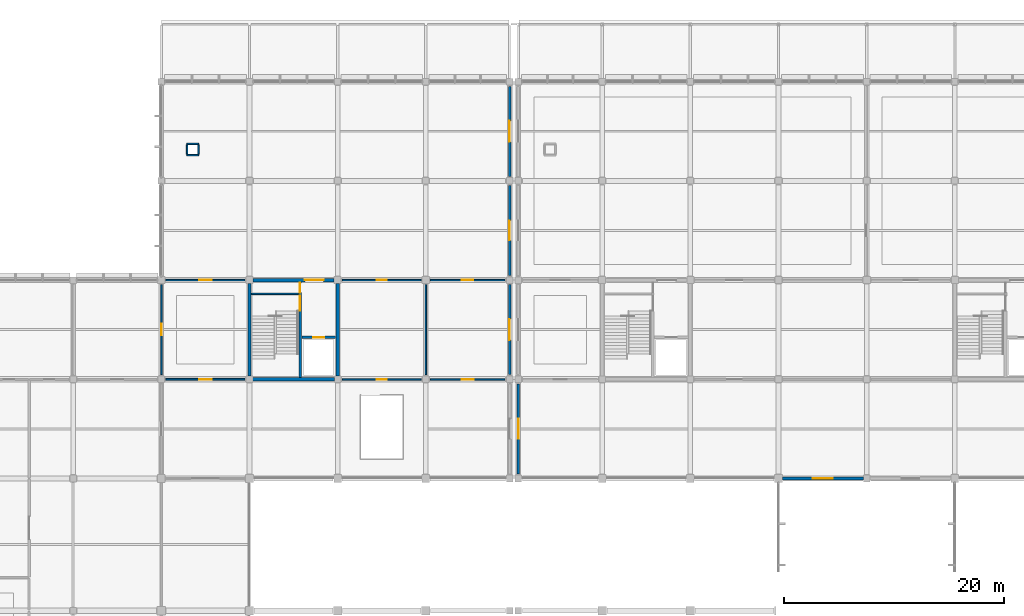
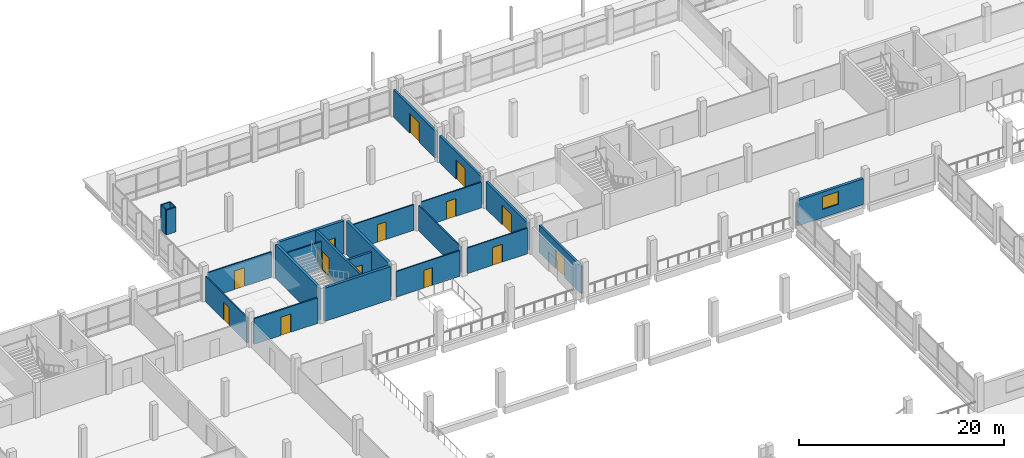
# One storey, part 44 of 57: 24 walls, 15 doors, 1 window, 16 openings.
"""IFC4 building model written with IfcOpenShell, lengths in metres."""

from ifc_helpers import new_model, si_unit, direction, frame, frame_2d, origin, place, context, subcontext, project, spatial, rectangle, extrude, material, layer, layer_set, type_object, element, fill, save


model = new_model("IFC4")

# Units and contexts
model_context = context("Model", 3, precision=1e-05, world=origin(), true_north=direction((0.0, 1.0)))
body_context = subcontext(model_context, "Body", "Model", "MODEL_VIEW")
ifc_project = project(units=[si_unit("LENGTHUNIT", "METRE"), si_unit("AREAUNIT", "SQUARE_METRE"), si_unit("VOLUMEUNIT", "CUBIC_METRE"), si_unit("PLANEANGLEUNIT", "RADIAN"), si_unit("MASSUNIT", "GRAM", prefix="KILO"), si_unit("THERMODYNAMICTEMPERATUREUNIT", "KELVIN"), si_unit("POWERUNIT", "WATT")], contexts=[model_context])

# Site, building, storey
site_placement = place(None, origin())
site = spatial("IfcSite", under=ifc_project, at=site_placement, CompositionType="ELEMENT")
building_placement = place(site_placement, origin())
building = spatial("IfcBuilding", under=site, at=building_placement, Name="Kronsvod Quay Wholesale Market", CompositionType="ELEMENT")
storey_placement = place(building_placement, frame((0.0, 0.0, 4.800048828125)))
storey = spatial("IfcBuildingStorey", under=building, at=storey_placement, Name="L01", CompositionType="ELEMENT", Elevation=4.800048828125)

# Wall
ifc_material_1 = material(Name="Concrete C35/45", Category="concrete")
ifc_layer_1 = layer(ifc_material_1, 0.300048828125)
ifc_layer_set_1 = layer_set([ifc_layer_1], Name="Concrete C35/45")
wall_type_1 = type_object("IfcWallType", Name="Wall_CoreShear300", PredefinedType="SHEAR", material=ifc_layer_set_1)
wall_1_placement = place(storey_placement, frame((40.294921875, 99.0, 0.0), z_axis=(0.0, 0.0, 1.0), x_axis=(1.0, 0.0, 0.0)))
element("IfcWall", 1, at=wall_1_placement, inside=storey, type_object=wall_type_1, Name="CW-C07-L01-S", PredefinedType="SHEAR", context=body_context, shape_type="SweptSolid", body=[
    extrude(rectangle(XDim=7.41015625, YDim=0.300048828125, at=frame_2d((3.705078125, 0.0))), origin(), (0.0, 0.0, 1.0), 3.954833984375),
])

# Wall, opening, door
wall_2_placement = place(storey_placement, frame((40.320068359375, 108.0, 0.0), z_axis=(0.0, 0.0, 1.0), x_axis=(1.0, 0.0, 0.0)))
wall_2 = element("IfcWall", 2, at=wall_2_placement, inside=storey, type_object=wall_type_1, Name="CW-C07-L01-N", PredefinedType="SHEAR", context=body_context, shape_type="SweptSolid", body=[
    extrude(rectangle(XDim=7.35986328125, YDim=0.300048828125, at=frame_2d((3.679931640625, 0.0))), origin(), (0.0, 0.0, 1.0), 3.954833984375),
])
opening_1_placement = place(wall_2_placement, frame((4.699951171875, 0.0, 0.0)))
opening_1 = element("IfcOpeningElement", 3, at=opening_1_placement, cuts=wall_2, Name="Opening D-0068", PredefinedType="OPENING", context=body_context, shape_type="SweptSolid", body=[
    extrude(rectangle(XDim=1.699951171875, YDim=2.25, at=frame_2d((0.85009765625, 1.125))), frame((0.0, 0.16015625, 0.0), z_axis=(0.0, -1.0, 0.0), x_axis=(1.0, 0.0, 0.0)), (0.0, 0.0, 1.0), 0.320068359375),
])
ifc_material_2 = material(Name="Painted galvanized fire steel", Category="steel")
door_type_1 = type_object("IfcDoorType", Name="Door_FireLobby170x225", OperationType="DOUBLE_DOOR_SINGLE_SWING", PredefinedType="DOOR", material=ifc_material_2)
door_1_placement = place(opening_1_placement, origin())
door_1 = element("IfcDoor", 4, at=door_1_placement, inside=storey, type_object=door_type_1, Name="Core Lobby Door D-0068", OperationType="DOUBLE_DOOR_SINGLE_SWING", OverallHeight=2.25, OverallWidth=1.699951171875, PredefinedType="DOOR", context=body_context, shape_type="SweptSolid", body=[
    extrude(rectangle(XDim=1.699951171875, YDim=2.25, at=frame_2d((0.85009765625, 1.125))), frame((0.0, 0.02490234375, 0.0), z_axis=(0.0, -1.0, 0.0), x_axis=(1.0, 0.0, 0.0)), (0.0, 0.0, 1.0), 0.050048828125),
])
fill(opening_1, door_1)

# Walls
for number, where, z_axis, x_axis, name in (
    (5, (40.0, 99.294921875, 0.0), (0.0, 0.0, 1.0), (0.0, 1.0, 0.0), "CW-C07-L01-W"),
    (6, (48.0, 99.294921875, 0.0), (0.0, 0.0, 1.0), (0.0, 1.0, 0.0), "CW-C07-L01-E"),
):
    element("IfcWall", number, at=place(storey_placement, frame(where, z_axis=z_axis, x_axis=x_axis)), inside=storey, type_object=wall_type_1, Name=name, PredefinedType="SHEAR", context=body_context, shape_type="SweptSolid", body=[
        extrude(rectangle(XDim=8.385009765625, YDim=0.300048828125, at=frame_2d((4.1923828125, 0.0))), origin(), (0.0, 0.0, 1.0), 3.954833984375),
    ])

# Wall, opening, window
ifc_material_3 = material(Name="Precast concrete C40/50", Category="concrete")
ifc_layer_2 = layer(ifc_material_3, 0.300048828125)
ifc_layer_set_2 = layer_set([ifc_layer_2], Name="Precast concrete C40/50")
wall_type_2 = type_object("IfcWallType", Name="Wall_ExtPrecast300", PredefinedType="SOLIDWALL", material=ifc_layer_set_2)
wall_3_placement = place(storey_placement, frame((88.344970703125, 90.0, 0.0), z_axis=(0.0, 0.0, 1.0), x_axis=(1.0, 0.0, 0.0)))
wall_3 = element("IfcWall", 7, at=wall_3_placement, inside=storey, type_object=wall_type_2, Name="EW-X-L01-0125", PredefinedType="SOLIDWALL", context=body_context, shape_type="SweptSolid", body=[
    extrude(rectangle(XDim=7.360107421875, YDim=0.300048828125, at=frame_2d((3.68017578125, 0.0))), origin(), (0.0, 0.0, 1.0), 3.050048828125),
])
opening_2_placement = place(wall_3_placement, frame((2.780029296875, 0.0, 1.0)))
opening_2 = element("IfcOpeningElement", 8, at=opening_2_placement, cuts=wall_3, Name="Opening WIN-10", PredefinedType="OPENING", context=body_context, shape_type="SweptSolid", body=[
    extrude(rectangle(XDim=1.800048828125, YDim=1.5, at=frame_2d((0.89990234375, 0.75))), frame((0.0, 0.16015625, 0.0), z_axis=(0.0, -1.0, 0.0), x_axis=(1.0, 0.0, 0.0)), (0.0, 0.0, 1.0), 0.320068359375),
])
ifc_material_4 = material(Name="Thermally broken aluminium and triple low-E glazing", Category="aluminium")
window_type = type_object("IfcWindowType", Name="Win_W10", PartitioningType="DOUBLE_PANEL_VERTICAL", PredefinedType="WINDOW", material=ifc_material_4)
window_placement = place(opening_2_placement, origin())
window = element("IfcWindow", 9, at=window_placement, inside=storey, type_object=window_type, Name="WIN-L01-0010", OverallHeight=1.5, OverallWidth=1.800048828125, PartitioningType="SINGLE_PANEL", PredefinedType="WINDOW", context=body_context, shape_type="SweptSolid", body=[
    extrude(rectangle(XDim=1.800048828125, YDim=1.5, at=frame_2d((0.89990234375, 0.75))), frame((0.0, 0.030029296875, 0.0), z_axis=(0.0, -1.0, 0.0), x_axis=(1.0, 0.0, 0.0)), (0.0, 0.0, 1.0), 0.06005859375),
])
fill(opening_2, window)

# Wall, opening, door
ifc_material_5 = material(Name="Precast concrete C40/50", Category="concrete")
ifc_layer_3 = layer(ifc_material_5, 0.239990234375)
ifc_layer_set_3 = layer_set([ifc_layer_3], Name="Precast concrete C40/50")
wall_type_3 = type_object("IfcWallType", Name="Wall_ExtSpandrel240", PredefinedType="SOLIDWALL", material=ifc_layer_set_3)
wall_4_placement = place(storey_placement, frame((63.60009765625, 99.419921875, 0.0), z_axis=(0.0, 0.0, 1.0), x_axis=(0.0, 1.0, 0.0)))
wall_4 = element("IfcWall", 10, at=wall_4_placement, inside=storey, type_object=wall_type_3, Name="MJWG-L01-636-990", PredefinedType="SOLIDWALL", context=body_context, shape_type="SweptSolid", body=[
    extrude(rectangle(XDim=8.16015625, YDim=0.239990234375, at=frame_2d((4.080078125, 0.0))), origin(), (0.0, 0.0, 1.0), 3.239990234375),
])
opening_3_placement = place(wall_4_placement, frame((3.1298828125, 0.0, 0.0)))
opening_3 = element("IfcOpeningElement", 11, at=opening_3_placement, cuts=wall_4, Name="Opening D-0353", PredefinedType="OPENING", context=body_context, shape_type="SweptSolid", body=[
    extrude(rectangle(XDim=1.89990234375, YDim=2.35009765625, at=frame_2d((0.949951171875, 1.175048828125))), frame((0.0, 0.1298828125, 0.0), z_axis=(0.0, -1.0, 0.0), x_axis=(1.0, 0.0, 0.0)), (0.0, 0.0, 1.0), 0.260009765625),
])
ifc_material_6 = material(Name="Painted galvanized fire steel", Category="steel")
door_type_2 = type_object("IfcDoorType", Name="Door_FireComp190x235", OperationType="DOUBLE_DOOR_SINGLE_SWING", PredefinedType="DOOR", material=ifc_material_6)
door_2_placement = place(opening_3_placement, origin())
door_2 = element("IfcDoor", 12, at=door_2_placement, inside=storey, type_object=door_type_2, Name="Fire Compartment Door D-0353", OperationType="DOUBLE_DOOR_SINGLE_SWING", OverallHeight=2.35009765625, OverallWidth=1.89990234375, PredefinedType="DOOR", context=body_context, shape_type="SweptSolid", body=[
    extrude(rectangle(XDim=1.89990234375, YDim=2.35009765625, at=frame_2d((0.949951171875, 1.175048828125))), frame((0.0, 0.02490234375, 0.0), z_axis=(0.0, -1.0, 0.0), x_axis=(1.0, 0.0, 0.0)), (0.0, 0.0, 1.0), 0.050048828125),
])
fill(opening_3, door_2)

wall_5_placement = place(storey_placement, frame((63.60009765625, 108.419921875, 0.0), z_axis=(0.0, 0.0, 1.0), x_axis=(0.0, 1.0, 0.0)))
wall_5 = element("IfcWall", 13, at=wall_5_placement, inside=storey, type_object=wall_type_3, Name="MJWG-L01-636-1080", PredefinedType="SOLIDWALL", context=body_context, shape_type="SweptSolid", body=[
    extrude(rectangle(XDim=8.16015625, YDim=0.239990234375, at=frame_2d((4.080078125, 0.0))), origin(), (0.0, 0.0, 1.0), 3.239990234375),
])
opening_4_placement = place(wall_5_placement, frame((3.179931640625, 0.0, 0.0)))
opening_4 = element("IfcOpeningElement", 14, at=opening_4_placement, cuts=wall_5, Name="Opening D-0354", PredefinedType="OPENING", context=body_context, shape_type="SweptSolid", body=[
    extrude(rectangle(XDim=1.800048828125, YDim=2.300048828125, at=frame_2d((0.89990234375, 1.14990234375))), frame((0.0, 0.1298828125, 0.0), z_axis=(0.0, -1.0, 0.0), x_axis=(1.0, 0.0, 0.0)), (0.0, 0.0, 1.0), 0.260009765625),
])
ifc_material_7 = material(Name="Painted galvanized fire steel", Category="steel")
door_type_3 = type_object("IfcDoorType", Name="Door_FireComp180x230", OperationType="DOUBLE_DOOR_SINGLE_SWING", PredefinedType="DOOR", material=ifc_material_7)
door_3_placement = place(opening_4_placement, origin())
door_3 = element("IfcDoor", 15, at=door_3_placement, inside=storey, type_object=door_type_3, Name="Fire Compartment Door D-0354", OperationType="DOUBLE_DOOR_SINGLE_SWING", OverallHeight=2.300048828125, OverallWidth=1.800048828125, PredefinedType="DOOR", context=body_context, shape_type="SweptSolid", body=[
    extrude(rectangle(XDim=1.800048828125, YDim=2.300048828125, at=frame_2d((0.89990234375, 1.14990234375))), frame((0.0, 0.02490234375, 0.0), z_axis=(0.0, -1.0, 0.0), x_axis=(1.0, 0.0, 0.0)), (0.0, 0.0, 1.0), 0.050048828125),
])
fill(opening_4, door_3)

wall_6_placement = place(storey_placement, frame((63.60009765625, 117.419921875, 0.0), z_axis=(0.0, 0.0, 1.0), x_axis=(0.0, 1.0, 0.0)))
wall_6 = element("IfcWall", 16, at=wall_6_placement, inside=storey, type_object=wall_type_3, Name="MJWG-L01-636-1170", PredefinedType="SOLIDWALL", context=body_context, shape_type="SweptSolid", body=[
    extrude(rectangle(XDim=8.16015625, YDim=0.239990234375, at=frame_2d((4.080078125, 0.0))), origin(), (0.0, 0.0, 1.0), 3.239990234375),
])
opening_5_placement = place(wall_6_placement, frame((3.1298828125, 0.0, 0.0)))
opening_5 = element("IfcOpeningElement", 17, at=opening_5_placement, cuts=wall_6, Name="Opening D-0355", PredefinedType="OPENING", context=body_context, shape_type="SweptSolid", body=[
    extrude(rectangle(XDim=1.89990234375, YDim=2.35009765625, at=frame_2d((0.949951171875, 1.175048828125))), frame((0.0, 0.1298828125, 0.0), z_axis=(0.0, -1.0, 0.0), x_axis=(1.0, 0.0, 0.0)), (0.0, 0.0, 1.0), 0.260009765625),
])
door_4_placement = place(opening_5_placement, origin())
door_4 = element("IfcDoor", 18, at=door_4_placement, inside=storey, type_object=door_type_2, Name="Fire Compartment Door D-0355", OperationType="DOUBLE_DOOR_SINGLE_SWING", OverallHeight=2.35009765625, OverallWidth=1.89990234375, PredefinedType="DOOR", context=body_context, shape_type="SweptSolid", body=[
    extrude(rectangle(XDim=1.89990234375, YDim=2.35009765625, at=frame_2d((0.949951171875, 1.175048828125))), frame((0.0, 0.02490234375, 0.0), z_axis=(0.0, -1.0, 0.0), x_axis=(1.0, 0.0, 0.0)), (0.0, 0.0, 1.0), 0.050048828125),
])
fill(opening_5, door_4)

wall_7_placement = place(storey_placement, frame((64.39990234375, 90.419921875, 0.0), z_axis=(0.0, 0.0, 1.0), x_axis=(0.0, 1.0, 0.0)))
wall_7 = element("IfcWall", 19, at=wall_7_placement, inside=storey, type_object=wall_type_3, Name="MJWG-L01-644-900", PredefinedType="SOLIDWALL", context=body_context, shape_type="SweptSolid", body=[
    extrude(rectangle(XDim=8.16015625, YDim=0.239990234375, at=frame_2d((4.080078125, 0.0))), origin(), (0.0, 0.0, 1.0), 3.239990234375),
])
opening_6_placement = place(wall_7_placement, frame((3.179931640625, 0.0, 0.0)))
opening_6 = element("IfcOpeningElement", 20, at=opening_6_placement, cuts=wall_7, Name="Opening D-0358", PredefinedType="OPENING", context=body_context, shape_type="SweptSolid", body=[
    extrude(rectangle(XDim=1.800048828125, YDim=2.300048828125, at=frame_2d((0.89990234375, 1.14990234375))), frame((0.0, 0.1298828125, 0.0), z_axis=(0.0, -1.0, 0.0), x_axis=(1.0, 0.0, 0.0)), (0.0, 0.0, 1.0), 0.260009765625),
])
door_5_placement = place(opening_6_placement, origin())
door_5 = element("IfcDoor", 21, at=door_5_placement, inside=storey, type_object=door_type_3, Name="Fire Compartment Door D-0358", OperationType="DOUBLE_DOOR_SINGLE_SWING", OverallHeight=2.300048828125, OverallWidth=1.800048828125, PredefinedType="DOOR", context=body_context, shape_type="SweptSolid", body=[
    extrude(rectangle(XDim=1.800048828125, YDim=2.300048828125, at=frame_2d((0.89990234375, 1.14990234375))), frame((0.0, 0.02490234375, 0.0), z_axis=(0.0, -1.0, 0.0), x_axis=(1.0, 0.0, 0.0)), (0.0, 0.0, 1.0), 0.050048828125),
])
fill(opening_6, door_5)

ifc_material_8 = material(Name="Double-layer fire gypsum partition", Category="gypsum")
ifc_layer_4 = layer(ifc_material_8, 0.16796875)
ifc_layer_set_4 = layer_set([ifc_layer_4], Name="Double-layer fire gypsum partition")
wall_type_4 = type_object("IfcWallType", Name="Wall_PartCorridor168", PredefinedType="PARTITIONING", material=ifc_layer_set_4)
wall_8_placement = place(storey_placement, frame((32.419921875, 99.0, 0.0), z_axis=(0.0, 0.0, 1.0), x_axis=(1.0, 0.0, 0.0)))
wall_8 = element("IfcWall", 22, at=wall_8_placement, inside=storey, type_object=wall_type_4, Name="PW-L01-0067", PredefinedType="PARTITIONING", context=body_context, shape_type="SweptSolid", body=[
    extrude(rectangle(XDim=7.16015625, YDim=0.16796875, at=frame_2d((3.580078125, 0.0))), origin(), (0.0, 0.0, 1.0), 3.050048828125),
])
opening_7_placement = place(wall_8_placement, frame((3.02001953125, 0.0, 0.0)))
opening_7 = element("IfcOpeningElement", 23, at=opening_7_placement, cuts=wall_8, Name="Opening D-0252", PredefinedType="OPENING", context=body_context, shape_type="SweptSolid", body=[
    extrude(rectangle(XDim=1.1201171875, YDim=2.179931640625, at=frame_2d((0.56005859375, 1.08984375))), frame((0.0, 0.093994140625, 0.0), z_axis=(0.0, -1.0, 0.0), x_axis=(1.0, 0.0, 0.0)), (0.0, 0.0, 1.0), 0.18798828125),
])
ifc_material_9 = material(Name="Solid-core timber office door", Category="wood")
door_type_4 = type_object("IfcDoorType", Name="Door_Office112x218", OperationType="NOTDEFINED", PredefinedType="DOOR", material=ifc_material_9)
door_6_placement = place(opening_7_placement, origin())
door_6 = element("IfcDoor", 24, at=door_6_placement, inside=storey, type_object=door_type_4, Name="Interior Door D-0252", OperationType="SINGLE_SWING_RIGHT", OverallHeight=2.179931640625, OverallWidth=1.1201171875, PredefinedType="DOOR", context=body_context, shape_type="SweptSolid", body=[
    extrude(rectangle(XDim=1.1201171875, YDim=2.179931640625, at=frame_2d((0.56005859375, 1.08984375))), frame((0.0, 0.02490234375, 0.0), z_axis=(0.0, -1.0, 0.0), x_axis=(1.0, 0.0, 0.0)), (0.0, 0.0, 1.0), 0.050048828125),
])
fill(opening_7, door_6)

ifc_material_10 = material(Name="Lightweight demountable office partition")
ifc_layer_5 = layer(ifc_material_10, 0.1201171875)
ifc_layer_set_5 = layer_set([ifc_layer_5], Name="Lightweight demountable office partition")
wall_type_5 = type_object("IfcWallType", Name="Wall_PartOffice120", PredefinedType="PARTITIONING", material=ifc_layer_set_5)
wall_9_placement = place(storey_placement, frame((32.419921875, 108.0, 0.0), z_axis=(0.0, 0.0, 1.0), x_axis=(1.0, 0.0, 0.0)))
wall_9 = element("IfcWall", 25, at=wall_9_placement, inside=storey, type_object=wall_type_5, Name="PW-L01-0078", PredefinedType="PARTITIONING", context=body_context, shape_type="SweptSolid", body=[
    extrude(rectangle(XDim=7.16015625, YDim=0.1201171875, at=frame_2d((3.580078125, 0.0))), origin(), (0.0, 0.0, 1.0), 3.050048828125),
])
opening_8_placement = place(wall_9_placement, frame((3.0, 0.0, 0.0)))
opening_8 = element("IfcOpeningElement", 26, at=opening_8_placement, cuts=wall_9, Name="Opening D-0260", PredefinedType="OPENING", context=body_context, shape_type="SweptSolid", body=[
    extrude(rectangle(XDim=1.159912109375, YDim=2.2099609375, at=frame_2d((0.580078125, 1.10498046875))), frame((0.0, 0.070068359375, 0.0), z_axis=(0.0, -1.0, 0.0), x_axis=(1.0, 0.0, 0.0)), (0.0, 0.0, 1.0), 0.14013671875),
])
ifc_material_11 = material(Name="Solid-core timber office door", Category="wood")
door_type_5 = type_object("IfcDoorType", Name="Door_Office116x221", OperationType="NOTDEFINED", PredefinedType="DOOR", material=ifc_material_11)
door_7_placement = place(opening_8_placement, origin())
door_7 = element("IfcDoor", 27, at=door_7_placement, inside=storey, type_object=door_type_5, Name="Interior Door D-0260", OperationType="SINGLE_SWING_RIGHT", OverallHeight=2.2099609375, OverallWidth=1.159912109375, PredefinedType="DOOR", context=body_context, shape_type="SweptSolid", body=[
    extrude(rectangle(XDim=1.159912109375, YDim=2.2099609375, at=frame_2d((0.580078125, 1.10498046875))), frame((0.0, 0.02490234375, 0.0), z_axis=(0.0, -1.0, 0.0), x_axis=(1.0, 0.0, 0.0)), (0.0, 0.0, 1.0), 0.050048828125),
])
fill(opening_8, door_7)

# Walls
ifc_material_12 = material(Name="Fire-rated shaft riser block wall", Category="masonry")
ifc_layer_6 = layer(ifc_material_12, 0.1201171875)
ifc_layer_set_6 = layer_set([ifc_layer_6], Name="Fire-rated shaft riser block wall")
wall_type_6 = type_object("IfcWallType", Name="Wall_PartRiser120", PredefinedType="PARTITIONING", material=ifc_layer_set_6)
for number, where, z_axis, x_axis, name in (
    (28, (34.320068359375, 119.340087890625, 0.0), (0.0, 0.0, 1.0), (1.0, 0.0, 0.0), "RSRW-SLB-L01-067-S"),
    (29, (34.320068359375, 120.360107421875, 0.0), (0.0, 0.0, 1.0), (1.0, 0.0, 0.0), "RSRW-SLB-L01-067-N"),
):
    element("IfcWall", number, at=place(storey_placement, frame(where, z_axis=z_axis, x_axis=x_axis)), inside=storey, type_object=wall_type_6, Name=name, PredefinedType="PARTITIONING", context=body_context, shape_type="SweptSolid", body=[
        extrude(rectangle(XDim=1.059814453125, YDim=0.1201171875, at=frame_2d((0.52978515625, 0.0))), origin(), (0.0, 0.0, 1.0), 2.949951171875),
    ])
for number, where, z_axis, x_axis, name in (
    (30, (34.340087890625, 119.419921875, 0.0), (0.0, 0.0, 1.0), (0.0, 1.0, 0.0), "RSRW-SLB-L01-067-W"),
    (31, (35.360107421875, 119.419921875, 0.0), (0.0, 0.0, 1.0), (0.0, 1.0, 0.0), "RSRW-SLB-L01-067-E"),
):
    element("IfcWall", number, at=place(storey_placement, frame(where, z_axis=z_axis, x_axis=x_axis)), inside=storey, type_object=wall_type_6, Name=name, PredefinedType="PARTITIONING", context=body_context, shape_type="SweptSolid", body=[
        extrude(rectangle(XDim=0.860107421875, YDim=0.1201171875, at=frame_2d((0.43017578125, 0.0))), origin(), (0.0, 0.0, 1.0), 2.949951171875),
    ])
ifc_material_13 = material(Name="Fire-rated shaft riser block wall", Category="masonry")
ifc_layer_7 = layer(ifc_material_13, 0.1298828125)
ifc_layer_set_7 = layer_set([ifc_layer_7], Name="Fire-rated shaft riser block wall")
wall_type_7 = type_object("IfcWallType", Name="Wall_PartRiser130", PredefinedType="PARTITIONING", material=ifc_layer_set_7)
wall_10_placement = place(storey_placement, frame((40.179931640625, 106.75, 0.0), z_axis=(0.0, 0.0, 1.0), x_axis=(1.0, 0.0, 0.0)))
element("IfcWall", 32, at=wall_10_placement, inside=storey, type_object=wall_type_7, Name="CW-C07-L01-RSR", PredefinedType="PARTITIONING", context=body_context, shape_type="SweptSolid", body=[
    extrude(rectangle(XDim=4.280029296875, YDim=0.1298828125, at=frame_2d((2.14013671875, 0.0))), origin(), (0.0, 0.0, 1.0), 3.304931640625),
])

# Wall, opening, door
ifc_material_14 = material(Name="Moisture-resistant sanitary block partition", Category="masonry")
ifc_layer_8 = layer(ifc_material_14, 0.135009765625)
ifc_layer_set_8 = layer_set([ifc_layer_8], Name="Moisture-resistant sanitary block partition")
wall_type_8 = type_object("IfcWallType", Name="Wall_PartWet135", PredefinedType="PLUMBINGWALL", material=ifc_layer_set_8)
wall_11_placement = place(storey_placement, frame((32.0, 99.419921875, 0.0), z_axis=(0.0, 0.0, 1.0), x_axis=(0.0, 1.0, 0.0)))
wall_11 = element("IfcWall", 33, at=wall_11_placement, inside=storey, type_object=wall_type_8, Name="PW-L01-0032", PredefinedType="PLUMBINGWALL", context=body_context, shape_type="SweptSolid", body=[
    extrude(rectangle(XDim=8.16015625, YDim=0.135009765625, at=frame_2d((4.080078125, 0.0))), origin(), (0.0, 0.0, 1.0), 3.050048828125),
])
opening_9_placement = place(wall_11_placement, frame((3.554931640625, 0.0, 0.0)))
opening_9 = element("IfcOpeningElement", 34, at=opening_9_placement, cuts=wall_11, Name="Opening D-0229", PredefinedType="OPENING", context=body_context, shape_type="SweptSolid", body=[
    extrude(rectangle(XDim=1.050048828125, YDim=2.10009765625, at=frame_2d((0.52490234375, 1.050048828125))), frame((0.0, 0.07763671875, 0.0), z_axis=(0.0, -1.0, 0.0), x_axis=(1.0, 0.0, 0.0)), (0.0, 0.0, 1.0), 0.155029296875),
])
ifc_material_15 = material(Name="Accessible outward-swing laminate door", Category="wood")
door_type_6 = type_object("IfcDoorType", Name="Door_AccWC105x210", OperationType="NOTDEFINED", PredefinedType="DOOR", material=ifc_material_15)
door_8_placement = place(opening_9_placement, origin())
door_8 = element("IfcDoor", 35, at=door_8_placement, inside=storey, type_object=door_type_6, Name="Interior Door D-0229", OperationType="SINGLE_SWING_LEFT", OverallHeight=2.10009765625, OverallWidth=1.050048828125, PredefinedType="DOOR", context=body_context, shape_type="SweptSolid", body=[
    extrude(rectangle(XDim=1.050048828125, YDim=2.10009765625, at=frame_2d((0.52490234375, 1.050048828125))), frame((0.0, 0.02490234375, 0.0), z_axis=(0.0, -1.0, 0.0), x_axis=(1.0, 0.0, 0.0)), (0.0, 0.0, 1.0), 0.050048828125),
])
fill(opening_9, door_8)

wall_12_placement = place(storey_placement, frame((48.419921875, 99.0, 0.0), z_axis=(0.0, 0.0, 1.0), x_axis=(1.0, 0.0, 0.0)))
wall_12 = element("IfcWall", 36, at=wall_12_placement, inside=storey, type_object=wall_type_8, Name="PW-L01-0068", PredefinedType="PLUMBINGWALL", context=body_context, shape_type="SweptSolid", body=[
    extrude(rectangle(XDim=7.16015625, YDim=0.135009765625, at=frame_2d((3.580078125, 0.0))), origin(), (0.0, 0.0, 1.0), 3.050048828125),
])
opening_10_placement = place(wall_12_placement, frame((3.10498046875, 0.0, 0.0)))
opening_10 = element("IfcOpeningElement", 37, at=opening_10_placement, cuts=wall_12, Name="Opening D-0253", PredefinedType="OPENING", context=body_context, shape_type="SweptSolid", body=[
    extrude(rectangle(XDim=0.949951171875, YDim=2.10009765625, at=frame_2d((0.47509765625, 1.050048828125))), frame((0.0, 0.07763671875, 0.0), z_axis=(0.0, -1.0, 0.0), x_axis=(1.0, 0.0, 0.0)), (0.0, 0.0, 1.0), 0.155029296875),
])
ifc_material_16 = material(Name="Moisture-resistant laminate door", Category="wood")
door_type_7 = type_object("IfcDoorType", Name="Door_WC95x210", OperationType="NOTDEFINED", PredefinedType="DOOR", material=ifc_material_16)
door_9_placement = place(opening_10_placement, origin())
door_9 = element("IfcDoor", 38, at=door_9_placement, inside=storey, type_object=door_type_7, Name="Interior Door D-0253", OperationType="SINGLE_SWING_LEFT", OverallHeight=2.10009765625, OverallWidth=0.949951171875, PredefinedType="DOOR", context=body_context, shape_type="SweptSolid", body=[
    extrude(rectangle(XDim=0.949951171875, YDim=2.10009765625, at=frame_2d((0.47509765625, 1.050048828125))), frame((0.0, 0.02490234375, 0.0), z_axis=(0.0, -1.0, 0.0), x_axis=(1.0, 0.0, 0.0)), (0.0, 0.0, 1.0), 0.050048828125),
])
fill(opening_10, door_9)

wall_13_placement = place(storey_placement, frame((56.419921875, 99.0, 0.0), z_axis=(0.0, 0.0, 1.0), x_axis=(1.0, 0.0, 0.0)))
wall_13 = element("IfcWall", 39, at=wall_13_placement, inside=storey, type_object=wall_type_8, Name="PW-L01-0069", PredefinedType="PLUMBINGWALL", context=body_context, shape_type="SweptSolid", body=[
    extrude(rectangle(XDim=6.760009765625, YDim=0.135009765625, at=frame_2d((3.3798828125, 0.0))), origin(), (0.0, 0.0, 1.0), 3.050048828125),
])
opening_11_placement = place(wall_13_placement, frame((2.840087890625, 0.0, 0.0)))
opening_11 = element("IfcOpeningElement", 40, at=opening_11_placement, cuts=wall_13, Name="Opening D-0254", PredefinedType="OPENING", context=body_context, shape_type="SweptSolid", body=[
    extrude(rectangle(XDim=1.080078125, YDim=2.1201171875, at=frame_2d((0.5400390625, 1.06005859375))), frame((0.0, 0.07763671875, 0.0), z_axis=(0.0, -1.0, 0.0), x_axis=(1.0, 0.0, 0.0)), (0.0, 0.0, 1.0), 0.155029296875),
])
ifc_material_17 = material(Name="Accessible outward-swing laminate door", Category="wood")
door_type_8 = type_object("IfcDoorType", Name="Door_AccWC108x212", OperationType="NOTDEFINED", PredefinedType="DOOR", material=ifc_material_17)
door_10_placement = place(opening_11_placement, origin())
door_10 = element("IfcDoor", 41, at=door_10_placement, inside=storey, type_object=door_type_8, Name="Interior Door D-0254", OperationType="SINGLE_SWING_RIGHT", OverallHeight=2.1201171875, OverallWidth=1.080078125, PredefinedType="DOOR", context=body_context, shape_type="SweptSolid", body=[
    extrude(rectangle(XDim=1.080078125, YDim=2.1201171875, at=frame_2d((0.5400390625, 1.06005859375))), frame((0.0, 0.02490234375, 0.0), z_axis=(0.0, -1.0, 0.0), x_axis=(1.0, 0.0, 0.0)), (0.0, 0.0, 1.0), 0.050048828125),
])
fill(opening_11, door_10)

# Wall
wall_14_placement = place(storey_placement, frame((56.0, 99.419921875, 0.0), z_axis=(0.0, 0.0, 1.0), x_axis=(0.0, 1.0, 0.0)))
element("IfcWall", 42, at=wall_14_placement, inside=storey, type_object=wall_type_8, Name="PW-L01-0079", PredefinedType="PLUMBINGWALL", context=body_context, shape_type="SweptSolid", body=[
    extrude(rectangle(XDim=8.16015625, YDim=0.135009765625, at=frame_2d((4.080078125, 0.0))), origin(), (0.0, 0.0, 1.0), 3.050048828125),
])

# Wall, opening, door
wall_15_placement = place(storey_placement, frame((48.419921875, 108.0, 0.0), z_axis=(0.0, 0.0, 1.0), x_axis=(1.0, 0.0, 0.0)))
wall_15 = element("IfcWall", 43, at=wall_15_placement, inside=storey, type_object=wall_type_8, Name="PW-L01-0080", PredefinedType="PLUMBINGWALL", context=body_context, shape_type="SweptSolid", body=[
    extrude(rectangle(XDim=7.16015625, YDim=0.135009765625, at=frame_2d((3.580078125, 0.0))), origin(), (0.0, 0.0, 1.0), 3.050048828125),
])
opening_12_placement = place(wall_15_placement, frame((3.10498046875, 0.0, 0.0)))
opening_12 = element("IfcOpeningElement", 44, at=opening_12_placement, cuts=wall_15, Name="Opening D-0261", PredefinedType="OPENING", context=body_context, shape_type="SweptSolid", body=[
    extrude(rectangle(XDim=0.949951171875, YDim=2.10009765625, at=frame_2d((0.47509765625, 1.050048828125))), frame((0.0, 0.07763671875, 0.0), z_axis=(0.0, -1.0, 0.0), x_axis=(1.0, 0.0, 0.0)), (0.0, 0.0, 1.0), 0.155029296875),
])
door_11_placement = place(opening_12_placement, origin())
door_11 = element("IfcDoor", 45, at=door_11_placement, inside=storey, type_object=door_type_7, Name="Interior Door D-0261", OperationType="SINGLE_SWING_LEFT", OverallHeight=2.10009765625, OverallWidth=0.949951171875, PredefinedType="DOOR", context=body_context, shape_type="SweptSolid", body=[
    extrude(rectangle(XDim=0.949951171875, YDim=2.10009765625, at=frame_2d((0.47509765625, 1.050048828125))), frame((0.0, 0.02490234375, 0.0), z_axis=(0.0, -1.0, 0.0), x_axis=(1.0, 0.0, 0.0)), (0.0, 0.0, 1.0), 0.050048828125),
])
fill(opening_12, door_11)

wall_16_placement = place(storey_placement, frame((56.419921875, 108.0, 0.0), z_axis=(0.0, 0.0, 1.0), x_axis=(1.0, 0.0, 0.0)))
wall_16 = element("IfcWall", 46, at=wall_16_placement, inside=storey, type_object=wall_type_8, Name="PW-L01-0081", PredefinedType="PLUMBINGWALL", context=body_context, shape_type="SweptSolid", body=[
    extrude(rectangle(XDim=6.760009765625, YDim=0.135009765625, at=frame_2d((3.3798828125, 0.0))), origin(), (0.0, 0.0, 1.0), 3.050048828125),
])
opening_13_placement = place(wall_16_placement, frame((2.85498046875, 0.0, 0.0)))
opening_13 = element("IfcOpeningElement", 47, at=opening_13_placement, cuts=wall_16, Name="Opening D-0262", PredefinedType="OPENING", context=body_context, shape_type="SweptSolid", body=[
    extrude(rectangle(XDim=1.050048828125, YDim=2.10009765625, at=frame_2d((0.52490234375, 1.050048828125))), frame((0.0, 0.07763671875, 0.0), z_axis=(0.0, -1.0, 0.0), x_axis=(1.0, 0.0, 0.0)), (0.0, 0.0, 1.0), 0.155029296875),
])
door_12_placement = place(opening_13_placement, origin())
door_12 = element("IfcDoor", 48, at=door_12_placement, inside=storey, type_object=door_type_6, Name="Interior Door D-0262", OperationType="SINGLE_SWING_RIGHT", OverallHeight=2.10009765625, OverallWidth=1.050048828125, PredefinedType="DOOR", context=body_context, shape_type="SweptSolid", body=[
    extrude(rectangle(XDim=1.050048828125, YDim=2.10009765625, at=frame_2d((0.52490234375, 1.050048828125))), frame((0.0, 0.02490234375, 0.0), z_axis=(0.0, -1.0, 0.0), x_axis=(1.0, 0.0, 0.0)), (0.0, 0.0, 1.0), 0.050048828125),
])
fill(opening_13, door_12)

# Wall, openings, doors
ifc_material_18 = material(Name="Concrete C35/45", Category="concrete")
ifc_layer_9 = layer(ifc_material_18, 0.239990234375)
ifc_layer_set_9 = layer_set([ifc_layer_9], Name="Concrete C35/45")
wall_type_9 = type_object("IfcWallType", Name="Wall_ShaftWall240", PredefinedType="SHEAR", material=ifc_layer_set_9)
wall_17_placement = place(storey_placement, frame((44.60009765625, 99.179931640625, 0.0), z_axis=(0.0, 0.0, 1.0), x_axis=(0.0, 1.0, 0.0)))
wall_17 = element("IfcWall", 49, at=wall_17_placement, inside=storey, type_object=wall_type_9, Name="CW-C07-L01-DIV", PredefinedType="SHEAR", context=body_context, shape_type="SweptSolid", body=[
    extrude(rectangle(XDim=8.64013671875, YDim=0.239990234375, at=frame_2d((4.320068359375, 0.0))), origin(), (0.0, 0.0, 1.0), 3.954833984375),
])
opening_14_placement = place(wall_17_placement, frame((6.02001953125, 0.0, 0.0)))
opening_14 = element("IfcOpeningElement", 50, at=opening_14_placement, cuts=wall_17, Name="Opening D-0066", PredefinedType="OPENING", context=body_context, shape_type="SweptSolid", body=[
    extrude(rectangle(XDim=1.39990234375, YDim=2.199951171875, at=frame_2d((0.699951171875, 1.10009765625))), frame((0.0, 0.1298828125, 0.0), z_axis=(0.0, -1.0, 0.0), x_axis=(1.0, 0.0, 0.0)), (0.0, 0.0, 1.0), 0.260009765625),
])
opening_15_placement = place(wall_17_placement, frame((7.679931640625, 0.0, 0.0)))
opening_15 = element("IfcOpeningElement", 51, at=opening_15_placement, cuts=wall_17, Name="Opening D-0067", PredefinedType="OPENING", context=body_context, shape_type="SweptSolid", body=[
    extrude(rectangle(XDim=0.89990234375, YDim=2.050048828125, at=frame_2d((0.449951171875, 1.02490234375))), frame((0.0, 0.1298828125, 0.0), z_axis=(0.0, -1.0, 0.0), x_axis=(1.0, 0.0, 0.0)), (0.0, 0.0, 1.0), 0.260009765625),
])
ifc_material_19 = material(Name="Painted galvanized fire steel", Category="steel")
door_type_9 = type_object("IfcDoorType", Name="Door_FireStair140x220", OperationType="NOTDEFINED", PredefinedType="DOOR", material=ifc_material_19)
door_13_placement = place(opening_14_placement, origin())
door_13 = element("IfcDoor", 52, at=door_13_placement, inside=storey, type_object=door_type_9, Name="Stair Fire Door D-0066", OperationType="SINGLE_SWING_LEFT", OverallHeight=2.199951171875, OverallWidth=1.39990234375, PredefinedType="DOOR", context=body_context, shape_type="SweptSolid", body=[
    extrude(rectangle(XDim=1.39990234375, YDim=2.199951171875, at=frame_2d((0.699951171875, 1.10009765625))), frame((0.0, 0.02490234375, 0.0), z_axis=(0.0, -1.0, 0.0), x_axis=(1.0, 0.0, 0.0)), (0.0, 0.0, 1.0), 0.050048828125),
])
fill(opening_14, door_13)
ifc_material_20 = material(Name="Fire-rated steel riser access door", Category="steel")
door_type_10 = type_object("IfcDoorType", Name="Door_Riser90x205", OperationType="NOTDEFINED", PredefinedType="DOOR", material=ifc_material_20)
door_14_placement = place(opening_15_placement, origin())
door_14 = element("IfcDoor", 53, at=door_14_placement, inside=storey, type_object=door_type_10, Name="Service Riser Door D-0067", OperationType="SINGLE_SWING_RIGHT", OverallHeight=2.050048828125, OverallWidth=0.89990234375, PredefinedType="DOOR", context=body_context, shape_type="SweptSolid", body=[
    extrude(rectangle(XDim=0.89990234375, YDim=2.050048828125, at=frame_2d((0.449951171875, 1.02490234375))), frame((0.0, 0.02490234375, 0.0), z_axis=(0.0, -1.0, 0.0), x_axis=(1.0, 0.0, 0.0)), (0.0, 0.0, 1.0), 0.050048828125),
])
fill(opening_15, door_14)

# Wall, opening, door
wall_18_placement = place(storey_placement, frame((44.75, 102.800048828125, 0.0), z_axis=(0.0, 0.0, 1.0), x_axis=(1.0, 0.0, 0.0)))
wall_18 = element("IfcWall", 54, at=wall_18_placement, inside=storey, type_object=wall_type_9, Name="CW-C07-L01-LSH", PredefinedType="SHEAR", context=body_context, shape_type="SweptSolid", body=[
    extrude(rectangle(XDim=3.070068359375, YDim=0.239990234375, at=frame_2d((1.53515625, 0.0))), origin(), (0.0, 0.0, 1.0), 3.304931640625),
])
opening_16_placement = place(wall_18_placement, frame((1.034912109375, 0.0, 0.0)))
opening_16 = element("IfcOpeningElement", 55, at=opening_16_placement, cuts=wall_18, Name="Opening D-0069", PredefinedType="OPENING", context=body_context, shape_type="SweptSolid", body=[
    extrude(rectangle(XDim=1.0, YDim=2.14990234375, at=frame_2d((0.5, 1.074951171875))), frame((0.0, 0.1298828125, 0.0), z_axis=(0.0, -1.0, 0.0), x_axis=(1.0, 0.0, 0.0)), (0.0, 0.0, 1.0), 0.260009765625),
])
ifc_material_21 = material(Name="Brushed stainless steel", Category="steel")
door_type_11 = type_object("IfcDoorType", Name="Door_LiftLandingPax", OperationType="SLIDING_TO_LEFT", PredefinedType="DOOR", material=ifc_material_21)
door_15_placement = place(opening_16_placement, origin())
door_15 = element("IfcDoor", 56, at=door_15_placement, inside=storey, type_object=door_type_11, Name="Lift Landing Door LFT-P02 L01", OperationType="SLIDING_TO_LEFT", OverallHeight=2.14990234375, OverallWidth=1.0, PredefinedType="DOOR", context=body_context, shape_type="SweptSolid", body=[
    extrude(rectangle(XDim=1.0, YDim=2.14990234375, at=frame_2d((0.5, 1.074951171875))), frame((0.0, 0.02490234375, 0.0), z_axis=(0.0, -1.0, 0.0), x_axis=(1.0, 0.0, 0.0)), (0.0, 0.0, 1.0), 0.050048828125),
])
fill(opening_16, door_15)

save(model, "model.ifc")
